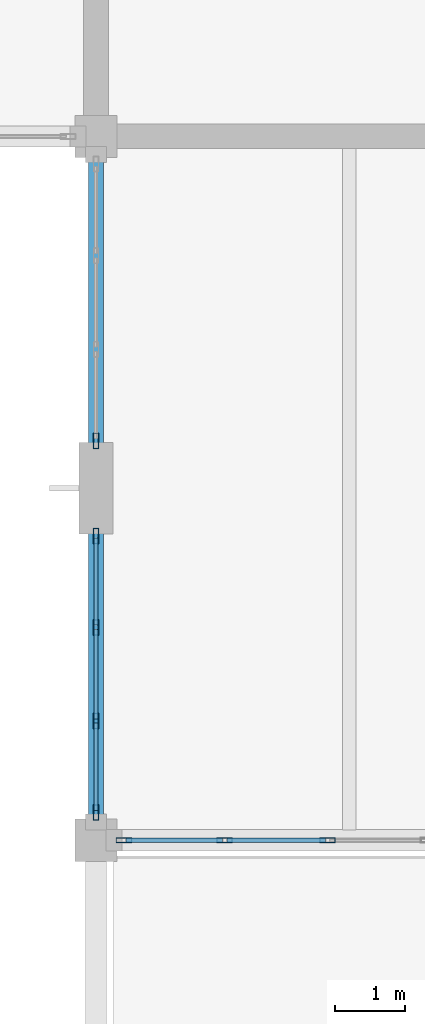
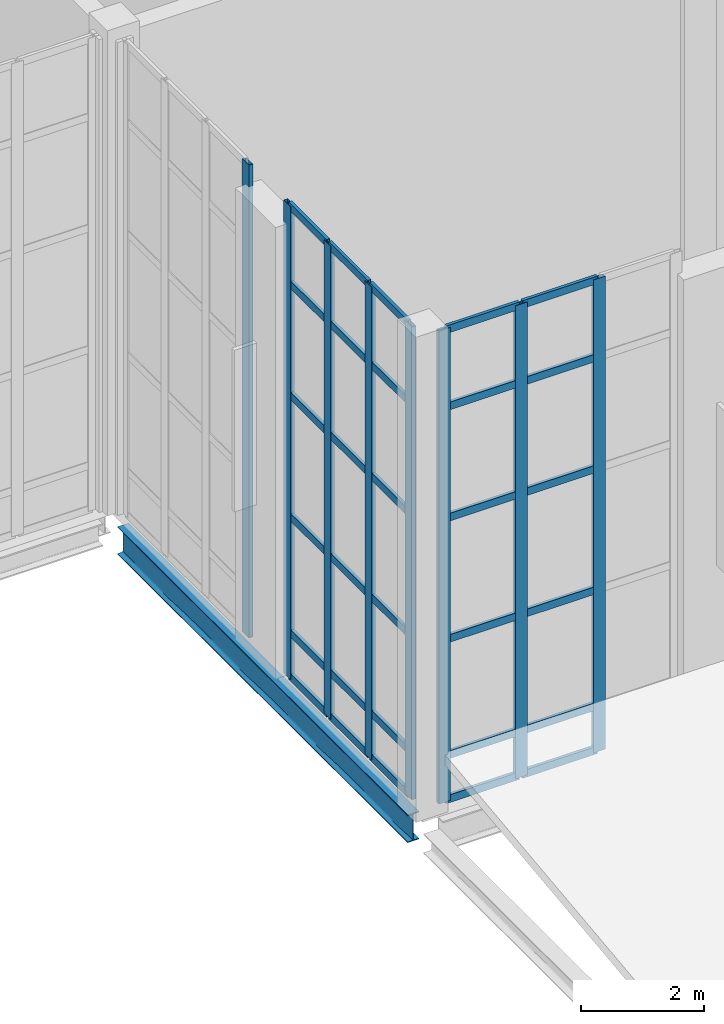
# One storey, part 33 of 100: 38 members, 1 beam, 3 elements without a shape of their own.
"""IFC4 building model written with IfcOpenShell, lengths in metres."""

from ifc_helpers import new_model, si_unit, direction, frame, origin, origin_2d, place, context, subcontext, project, spatial, hollow_rectangle, i_section, extrude, material, layer, layer_set, material_profile, profile_set, type_object, element, aggregate, save


model = new_model("IFC4")

# Units and contexts
model_context = context("Model", 3, precision=1e-05, world=origin(), true_north=direction((0.0, 1.0)))
body_context = subcontext(model_context, "Body", "Model", "MODEL_VIEW")
ifc_project = project(units=[si_unit("LENGTHUNIT", "METRE"), si_unit("AREAUNIT", "SQUARE_METRE"), si_unit("VOLUMEUNIT", "CUBIC_METRE"), si_unit("PLANEANGLEUNIT", "RADIAN"), si_unit("MASSUNIT", "GRAM", prefix="KILO")], contexts=[model_context])

# Site, building, storey
site_placement = place(None, origin())
site = spatial("IfcSite", under=ifc_project, at=site_placement, CompositionType="ELEMENT")
building_placement = place(site_placement, origin())
building = spatial("IfcBuilding", under=site, at=building_placement, Name="Tasgan Crest Museum", CompositionType="ELEMENT")
storey_placement = place(building_placement, frame((0.0, 0.0, 14.39990234375)))
storey = spatial("IfcBuildingStorey", under=building, at=storey_placement, Name="L03", CompositionType="ELEMENT", Elevation=14.39990234375)

# Beam
ifc_material_1 = material(Name="Steel S355J2", Category="steel")
ifc_material_profile_1 = material_profile(ifc_material_1, i_section(OverallWidth=0.2099609375, OverallDepth=0.550048828125, WebThickness=0.010986328125, FlangeThickness=0.01708984375, FilletRadius=0.02392578125, at=origin_2d()), Name="IPE 550")
ifc_profile_set_1 = profile_set([ifc_material_profile_1], Name="Steel S355J2")
beam_type = type_object("IfcBeamType", Name="BM-G-IPE550", PredefinedType="BEAM", material=ifc_profile_set_1)
beam_placement = place(storey_placement, frame((108.0, 30.294921875, -0.554931640625), z_axis=(0.0, 1.0, 0.0), x_axis=(-1.0, 0.0, 0.0)))
element("IfcBeam", 1, at=beam_placement, inside=storey, type_object=beam_type, Name="Beam L03 11 30.0-40.0", PredefinedType="BEAM", context=body_context, shape_type="SweptSolid", body=[
    extrude(i_section(OverallWidth=0.2099609375, OverallDepth=0.550048828125, WebThickness=0.010986328125, FlangeThickness=0.01708984375, FilletRadius=0.02392578125, at=origin_2d()), origin(), (0.0, 0.0, 1.0), 9.41015625),
])

# Curtain wall, member
ifc_material_2 = material(Name="Triple-Glazed Aluminium Curtain Wall", Category="aluminium")
ifc_layer_1 = layer(ifc_material_2, 0.179931640625, Name="CW-GAL-Y-96")
ifc_layer_set_1 = layer_set([ifc_layer_1], Name="Triple-Glazed Aluminium Curtain Wall")
curtain_wall_type_1 = type_object("IfcCurtainWallType", Name="CW-GAL-Y-96", PredefinedType="NOTDEFINED", material=ifc_layer_set_1)
curtain_wall_1_placement = place(storey_placement, origin())
curtain_wall_1 = element("IfcCurtainWall", 2, at=curtain_wall_1_placement, inside=storey, type_object=curtain_wall_type_1, Name="Curtain wall L03 111", PredefinedType="NOTDEFINED")
ifc_material_3 = material(Name="Anodised Aluminium", Category="aluminium")
ifc_material_profile_2 = material_profile(ifc_material_3, hollow_rectangle(XDim=0.074951171875, YDim=0.219970703125, WallThickness=0.006103515625, at=origin_2d()), Name="ALU MULLION 220x75x6")
ifc_profile_set_2 = profile_set([ifc_material_profile_2], Name="Anodised Aluminium")
member_type_1 = type_object("IfcMemberType", Name="CW-MULLION-220", PredefinedType="MULLION", material=ifc_profile_set_2)
member_1_placement = place(storey_placement, frame((108.0, 35.675048828125, 0.0), z_axis=(0.0, 0.0, 1.0), x_axis=(1.0, 0.0, 0.0)))
member_1 = element("IfcMember", 3, at=member_1_placement, type_object=member_type_1, Name="CW17 mullion 4", PredefinedType="MULLION", context=body_context, shape_type="SweptSolid", body=[
    extrude(hollow_rectangle(XDim=0.074951171875, YDim=0.219970703125, WallThickness=0.006103515625, at=origin_2d()), origin(), (0.0, 0.0, 1.0), 9.360107421875),
])
aggregate(curtain_wall_1, [member_1])

# Curtain wall, members
curtain_wall_2_placement = place(storey_placement, origin())
curtain_wall_2 = element("IfcCurtainWall", 4, at=curtain_wall_2_placement, inside=storey, type_object=curtain_wall_type_1, Name="Curtain wall L03 112", PredefinedType="NOTDEFINED")
member_2_placement = place(storey_placement, frame((108.0, 34.324951171875, 0.0), z_axis=(0.0, 0.0, 1.0), x_axis=(1.0, 0.0, 0.0)))
member_2 = element("IfcMember", 5, at=member_2_placement, type_object=member_type_1, Name="CW17 mullion 1", PredefinedType="MULLION", context=body_context, shape_type="SweptSolid", body=[
    extrude(hollow_rectangle(XDim=0.074951171875, YDim=0.219970703125, WallThickness=0.006103515625, at=origin_2d()), origin(), (0.0, 0.0, 1.0), 9.360107421875),
])
member_3_placement = place(storey_placement, frame((108.0, 33.02490234375, 0.0), z_axis=(0.0, 0.0, 1.0), x_axis=(1.0, 0.0, 0.0)))
member_3 = element("IfcMember", 6, at=member_3_placement, type_object=member_type_1, Name="CW17 mullion 2", PredefinedType="MULLION", context=body_context, shape_type="SweptSolid", body=[
    extrude(hollow_rectangle(XDim=0.074951171875, YDim=0.219970703125, WallThickness=0.006103515625, at=origin_2d()), origin(), (0.0, 0.0, 1.0), 9.360107421875),
])
member_4_placement = place(storey_placement, frame((108.0, 31.695068359375, 0.0), z_axis=(0.0, 0.0, 1.0), x_axis=(1.0, 0.0, 0.0)))
member_4 = element("IfcMember", 7, at=member_4_placement, type_object=member_type_1, Name="CW17 mullion 3", PredefinedType="MULLION", context=body_context, shape_type="SweptSolid", body=[
    extrude(hollow_rectangle(XDim=0.074951171875, YDim=0.219970703125, WallThickness=0.006103515625, at=origin_2d()), origin(), (0.0, 0.0, 1.0), 9.360107421875),
])
member_5_placement = place(storey_placement, frame((108.0, 30.39501953125, 0.0), z_axis=(0.0, 0.0, 1.0), x_axis=(1.0, 0.0, 0.0)))
member_5 = element("IfcMember", 8, at=member_5_placement, type_object=member_type_1, Name="CW17 mullion 4", PredefinedType="MULLION", context=body_context, shape_type="SweptSolid", body=[
    extrude(hollow_rectangle(XDim=0.074951171875, YDim=0.219970703125, WallThickness=0.006103515625, at=origin_2d()), origin(), (0.0, 0.0, 1.0), 9.360107421875),
])

ifc_material_4 = material(Name="Triple-Glazed Aluminium Curtain Wall", Category="aluminium")
ifc_layer_2 = layer(ifc_material_4, 0.179931640625, Name="CW-GAL-X-96")
ifc_layer_set_2 = layer_set([ifc_layer_2], Name="Triple-Glazed Aluminium Curtain Wall")
curtain_wall_type_2 = type_object("IfcCurtainWallType", Name="CW-GAL-X-96", PredefinedType="NOTDEFINED", material=ifc_layer_set_2)
curtain_wall_3_placement = place(storey_placement, origin())
curtain_wall_3 = element("IfcCurtainWall", 9, at=curtain_wall_3_placement, inside=storey, type_object=curtain_wall_type_2, Name="Curtain wall L03 113", PredefinedType="NOTDEFINED")
member_6_placement = place(storey_placement, frame((108.39501953125, 30.0, 0.0), z_axis=(0.0, 0.0, 1.0), x_axis=(0.0, 1.0, 0.0)))
member_6 = element("IfcMember", 10, at=member_6_placement, type_object=member_type_1, Name="CW14 mullion 1", PredefinedType="MULLION", context=body_context, shape_type="SweptSolid", body=[
    extrude(hollow_rectangle(XDim=0.074951171875, YDim=0.219970703125, WallThickness=0.006103515625, at=origin_2d()), origin(), (0.0, 0.0, 1.0), 9.360107421875),
])
member_7_placement = place(storey_placement, frame((109.828369140625, 30.0, 0.0), z_axis=(0.0, 0.0, 1.0), x_axis=(0.0, 1.0, 0.0)))
member_7 = element("IfcMember", 11, at=member_7_placement, type_object=member_type_1, Name="CW14 mullion 2", PredefinedType="MULLION", context=body_context, shape_type="SweptSolid", body=[
    extrude(hollow_rectangle(XDim=0.074951171875, YDim=0.219970703125, WallThickness=0.006103515625, at=origin_2d()), origin(), (0.0, 0.0, 1.0), 9.360107421875),
])
member_8_placement = place(storey_placement, frame((111.291748046875, 30.0, 0.0), z_axis=(0.0, 0.0, 1.0), x_axis=(0.0, 1.0, 0.0)))
member_8 = element("IfcMember", 12, at=member_8_placement, type_object=member_type_1, Name="CW14 mullion 3", PredefinedType="MULLION", context=body_context, shape_type="SweptSolid", body=[
    extrude(hollow_rectangle(XDim=0.074951171875, YDim=0.219970703125, WallThickness=0.006103515625, at=origin_2d()), origin(), (0.0, 0.0, 1.0), 9.360107421875),
])

# Member
ifc_material_5 = material(Name="Anodised Aluminium", Category="aluminium")
ifc_material_profile_3 = material_profile(ifc_material_5, hollow_rectangle(XDim=0.06005859375, YDim=0.14990234375, WallThickness=0.0048828125, at=origin_2d()), Name="ALU TRANSOM 150x60x5")
ifc_profile_set_3 = profile_set([ifc_material_profile_3], Name="Anodised Aluminium")
member_type_2 = type_object("IfcMemberType", Name="CW-TRANSOM-150", PredefinedType="USERDEFINED", material=ifc_profile_set_3)
member_9_placement = place(storey_placement, frame((108.0, 34.294921875, 0.030029296875), z_axis=(0.0, -1.0, 0.0), x_axis=(1.0, 0.0, 0.0)))
member_9 = element("IfcMember", 13, at=member_9_placement, type_object=member_type_2, Name="CW17 transom 1.1", ObjectType="TRANSOM", PredefinedType="USERDEFINED", context=body_context, shape_type="SweptSolid", body=[
    extrude(hollow_rectangle(XDim=0.06005859375, YDim=0.14990234375, WallThickness=0.0048828125, at=origin_2d()), origin(), (0.0, 0.0, 1.0), 1.239990234375),
])

member_10_placement = place(storey_placement, frame((108.0, 34.294921875, 0.900146484375), z_axis=(0.0, -1.0, 0.0), x_axis=(1.0, 0.0, 0.0)))
member_10 = element("IfcMember", 14, at=member_10_placement, type_object=member_type_2, Name="CW17 transom 1.2", ObjectType="TRANSOM", PredefinedType="USERDEFINED", context=body_context, shape_type="SweptSolid", body=[
    extrude(hollow_rectangle(XDim=0.06005859375, YDim=0.14990234375, WallThickness=0.0048828125, at=origin_2d()), origin(), (0.0, 0.0, 1.0), 1.239990234375),
])

member_11_placement = place(storey_placement, frame((108.0, 34.294921875, 3.2001953125), z_axis=(0.0, -1.0, 0.0), x_axis=(1.0, 0.0, 0.0)))
member_11 = element("IfcMember", 15, at=member_11_placement, type_object=member_type_2, Name="CW17 transom 1.3", ObjectType="TRANSOM", PredefinedType="USERDEFINED", context=body_context, shape_type="SweptSolid", body=[
    extrude(hollow_rectangle(XDim=0.06005859375, YDim=0.14990234375, WallThickness=0.0048828125, at=origin_2d()), origin(), (0.0, 0.0, 1.0), 1.239990234375),
])

member_12_placement = place(storey_placement, frame((108.0, 34.294921875, 5.60009765625), z_axis=(0.0, -1.0, 0.0), x_axis=(1.0, 0.0, 0.0)))
member_12 = element("IfcMember", 16, at=member_12_placement, type_object=member_type_2, Name="CW17 transom 1.4", ObjectType="TRANSOM", PredefinedType="USERDEFINED", context=body_context, shape_type="SweptSolid", body=[
    extrude(hollow_rectangle(XDim=0.06005859375, YDim=0.14990234375, WallThickness=0.0048828125, at=origin_2d()), origin(), (0.0, 0.0, 1.0), 1.239990234375),
])

member_13_placement = place(storey_placement, frame((108.0, 34.294921875, 7.800048828125), z_axis=(0.0, -1.0, 0.0), x_axis=(1.0, 0.0, 0.0)))
member_13 = element("IfcMember", 17, at=member_13_placement, type_object=member_type_2, Name="CW17 transom 1.5", ObjectType="TRANSOM", PredefinedType="USERDEFINED", context=body_context, shape_type="SweptSolid", body=[
    extrude(hollow_rectangle(XDim=0.06005859375, YDim=0.14990234375, WallThickness=0.0048828125, at=origin_2d()), origin(), (0.0, 0.0, 1.0), 1.239990234375),
])

member_14_placement = place(storey_placement, frame((108.0, 34.294921875, 9.330078125), z_axis=(0.0, -1.0, 0.0), x_axis=(1.0, 0.0, 0.0)))
member_14 = element("IfcMember", 18, at=member_14_placement, type_object=member_type_2, Name="CW17 transom 1.6", ObjectType="TRANSOM", PredefinedType="USERDEFINED", context=body_context, shape_type="SweptSolid", body=[
    extrude(hollow_rectangle(XDim=0.06005859375, YDim=0.14990234375, WallThickness=0.0048828125, at=origin_2d()), origin(), (0.0, 0.0, 1.0), 1.239990234375),
])

member_15_placement = place(storey_placement, frame((108.0, 32.9951171875, 0.030029296875), z_axis=(0.0, -1.0, 0.0), x_axis=(1.0, 0.0, 0.0)))
member_15 = element("IfcMember", 19, at=member_15_placement, type_object=member_type_2, Name="CW17 transom 2.1", ObjectType="TRANSOM", PredefinedType="USERDEFINED", context=body_context, shape_type="SweptSolid", body=[
    extrude(hollow_rectangle(XDim=0.06005859375, YDim=0.14990234375, WallThickness=0.0048828125, at=origin_2d()), origin(), (0.0, 0.0, 1.0), 1.27001953125),
])

member_16_placement = place(storey_placement, frame((108.0, 32.9951171875, 0.900146484375), z_axis=(0.0, -1.0, 0.0), x_axis=(1.0, 0.0, 0.0)))
member_16 = element("IfcMember", 20, at=member_16_placement, type_object=member_type_2, Name="CW17 transom 2.2", ObjectType="TRANSOM", PredefinedType="USERDEFINED", context=body_context, shape_type="SweptSolid", body=[
    extrude(hollow_rectangle(XDim=0.06005859375, YDim=0.14990234375, WallThickness=0.0048828125, at=origin_2d()), origin(), (0.0, 0.0, 1.0), 1.27001953125),
])

member_17_placement = place(storey_placement, frame((108.0, 32.9951171875, 3.2001953125), z_axis=(0.0, -1.0, 0.0), x_axis=(1.0, 0.0, 0.0)))
member_17 = element("IfcMember", 21, at=member_17_placement, type_object=member_type_2, Name="CW17 transom 2.3", ObjectType="TRANSOM", PredefinedType="USERDEFINED", context=body_context, shape_type="SweptSolid", body=[
    extrude(hollow_rectangle(XDim=0.06005859375, YDim=0.14990234375, WallThickness=0.0048828125, at=origin_2d()), origin(), (0.0, 0.0, 1.0), 1.27001953125),
])

member_18_placement = place(storey_placement, frame((108.0, 32.9951171875, 5.60009765625), z_axis=(0.0, -1.0, 0.0), x_axis=(1.0, 0.0, 0.0)))
member_18 = element("IfcMember", 22, at=member_18_placement, type_object=member_type_2, Name="CW17 transom 2.4", ObjectType="TRANSOM", PredefinedType="USERDEFINED", context=body_context, shape_type="SweptSolid", body=[
    extrude(hollow_rectangle(XDim=0.06005859375, YDim=0.14990234375, WallThickness=0.0048828125, at=origin_2d()), origin(), (0.0, 0.0, 1.0), 1.27001953125),
])

member_19_placement = place(storey_placement, frame((108.0, 32.9951171875, 7.800048828125), z_axis=(0.0, -1.0, 0.0), x_axis=(1.0, 0.0, 0.0)))
member_19 = element("IfcMember", 23, at=member_19_placement, type_object=member_type_2, Name="CW17 transom 2.5", ObjectType="TRANSOM", PredefinedType="USERDEFINED", context=body_context, shape_type="SweptSolid", body=[
    extrude(hollow_rectangle(XDim=0.06005859375, YDim=0.14990234375, WallThickness=0.0048828125, at=origin_2d()), origin(), (0.0, 0.0, 1.0), 1.27001953125),
])

member_20_placement = place(storey_placement, frame((108.0, 32.9951171875, 9.330078125), z_axis=(0.0, -1.0, 0.0), x_axis=(1.0, 0.0, 0.0)))
member_20 = element("IfcMember", 24, at=member_20_placement, type_object=member_type_2, Name="CW17 transom 2.6", ObjectType="TRANSOM", PredefinedType="USERDEFINED", context=body_context, shape_type="SweptSolid", body=[
    extrude(hollow_rectangle(XDim=0.06005859375, YDim=0.14990234375, WallThickness=0.0048828125, at=origin_2d()), origin(), (0.0, 0.0, 1.0), 1.27001953125),
])

member_21_placement = place(storey_placement, frame((108.0, 31.6650390625, 0.030029296875), z_axis=(0.0, -1.0, 0.0), x_axis=(1.0, 0.0, 0.0)))
member_21 = element("IfcMember", 25, at=member_21_placement, type_object=member_type_2, Name="CW17 transom 3.1", ObjectType="TRANSOM", PredefinedType="USERDEFINED", context=body_context, shape_type="SweptSolid", body=[
    extrude(hollow_rectangle(XDim=0.06005859375, YDim=0.14990234375, WallThickness=0.0048828125, at=origin_2d()), origin(), (0.0, 0.0, 1.0), 1.239990234375),
])

member_22_placement = place(storey_placement, frame((108.0, 31.6650390625, 0.900146484375), z_axis=(0.0, -1.0, 0.0), x_axis=(1.0, 0.0, 0.0)))
member_22 = element("IfcMember", 26, at=member_22_placement, type_object=member_type_2, Name="CW17 transom 3.2", ObjectType="TRANSOM", PredefinedType="USERDEFINED", context=body_context, shape_type="SweptSolid", body=[
    extrude(hollow_rectangle(XDim=0.06005859375, YDim=0.14990234375, WallThickness=0.0048828125, at=origin_2d()), origin(), (0.0, 0.0, 1.0), 1.239990234375),
])

member_23_placement = place(storey_placement, frame((108.0, 31.6650390625, 3.2001953125), z_axis=(0.0, -1.0, 0.0), x_axis=(1.0, 0.0, 0.0)))
member_23 = element("IfcMember", 27, at=member_23_placement, type_object=member_type_2, Name="CW17 transom 3.3", ObjectType="TRANSOM", PredefinedType="USERDEFINED", context=body_context, shape_type="SweptSolid", body=[
    extrude(hollow_rectangle(XDim=0.06005859375, YDim=0.14990234375, WallThickness=0.0048828125, at=origin_2d()), origin(), (0.0, 0.0, 1.0), 1.239990234375),
])

member_24_placement = place(storey_placement, frame((108.0, 31.6650390625, 5.60009765625), z_axis=(0.0, -1.0, 0.0), x_axis=(1.0, 0.0, 0.0)))
member_24 = element("IfcMember", 28, at=member_24_placement, type_object=member_type_2, Name="CW17 transom 3.4", ObjectType="TRANSOM", PredefinedType="USERDEFINED", context=body_context, shape_type="SweptSolid", body=[
    extrude(hollow_rectangle(XDim=0.06005859375, YDim=0.14990234375, WallThickness=0.0048828125, at=origin_2d()), origin(), (0.0, 0.0, 1.0), 1.239990234375),
])

member_25_placement = place(storey_placement, frame((108.0, 31.6650390625, 7.800048828125), z_axis=(0.0, -1.0, 0.0), x_axis=(1.0, 0.0, 0.0)))
member_25 = element("IfcMember", 29, at=member_25_placement, type_object=member_type_2, Name="CW17 transom 3.5", ObjectType="TRANSOM", PredefinedType="USERDEFINED", context=body_context, shape_type="SweptSolid", body=[
    extrude(hollow_rectangle(XDim=0.06005859375, YDim=0.14990234375, WallThickness=0.0048828125, at=origin_2d()), origin(), (0.0, 0.0, 1.0), 1.239990234375),
])

member_26_placement = place(storey_placement, frame((108.0, 31.6650390625, 9.330078125), z_axis=(0.0, -1.0, 0.0), x_axis=(1.0, 0.0, 0.0)))
member_26 = element("IfcMember", 30, at=member_26_placement, type_object=member_type_2, Name="CW17 transom 3.6", ObjectType="TRANSOM", PredefinedType="USERDEFINED", context=body_context, shape_type="SweptSolid", body=[
    extrude(hollow_rectangle(XDim=0.06005859375, YDim=0.14990234375, WallThickness=0.0048828125, at=origin_2d()), origin(), (0.0, 0.0, 1.0), 1.239990234375),
])

aggregate(curtain_wall_2, [member_2, member_3, member_4, member_5, member_9, member_10, member_11, member_12, member_13, member_14, member_15, member_16, member_17, member_18, member_19, member_20, member_21, member_22, member_23, member_24, member_25, member_26])

member_27_placement = place(storey_placement, frame((108.425048828125, 30.0, 0.030029296875), z_axis=(1.0, 0.0, 0.0), x_axis=(0.0, 1.0, 0.0)))
member_27 = element("IfcMember", 31, at=member_27_placement, type_object=member_type_2, Name="CW14 transom 1.1", ObjectType="TRANSOM", PredefinedType="USERDEFINED", context=body_context, shape_type="SweptSolid", body=[
    extrude(hollow_rectangle(XDim=0.06005859375, YDim=0.14990234375, WallThickness=0.0048828125, at=origin_2d()), origin(), (0.0, 0.0, 1.0), 1.373291015625),
])

member_28_placement = place(storey_placement, frame((108.425048828125, 30.0, 0.900146484375), z_axis=(1.0, 0.0, 0.0), x_axis=(0.0, 1.0, 0.0)))
member_28 = element("IfcMember", 32, at=member_28_placement, type_object=member_type_2, Name="CW14 transom 1.2", ObjectType="TRANSOM", PredefinedType="USERDEFINED", context=body_context, shape_type="SweptSolid", body=[
    extrude(hollow_rectangle(XDim=0.06005859375, YDim=0.14990234375, WallThickness=0.0048828125, at=origin_2d()), origin(), (0.0, 0.0, 1.0), 1.373291015625),
])

member_29_placement = place(storey_placement, frame((108.425048828125, 30.0, 3.2001953125), z_axis=(1.0, 0.0, 0.0), x_axis=(0.0, 1.0, 0.0)))
member_29 = element("IfcMember", 33, at=member_29_placement, type_object=member_type_2, Name="CW14 transom 1.3", ObjectType="TRANSOM", PredefinedType="USERDEFINED", context=body_context, shape_type="SweptSolid", body=[
    extrude(hollow_rectangle(XDim=0.06005859375, YDim=0.14990234375, WallThickness=0.0048828125, at=origin_2d()), origin(), (0.0, 0.0, 1.0), 1.373291015625),
])

member_30_placement = place(storey_placement, frame((108.425048828125, 30.0, 5.60009765625), z_axis=(1.0, 0.0, 0.0), x_axis=(0.0, 1.0, 0.0)))
member_30 = element("IfcMember", 34, at=member_30_placement, type_object=member_type_2, Name="CW14 transom 1.4", ObjectType="TRANSOM", PredefinedType="USERDEFINED", context=body_context, shape_type="SweptSolid", body=[
    extrude(hollow_rectangle(XDim=0.06005859375, YDim=0.14990234375, WallThickness=0.0048828125, at=origin_2d()), origin(), (0.0, 0.0, 1.0), 1.373291015625),
])

member_31_placement = place(storey_placement, frame((108.425048828125, 30.0, 7.800048828125), z_axis=(1.0, 0.0, 0.0), x_axis=(0.0, 1.0, 0.0)))
member_31 = element("IfcMember", 35, at=member_31_placement, type_object=member_type_2, Name="CW14 transom 1.5", ObjectType="TRANSOM", PredefinedType="USERDEFINED", context=body_context, shape_type="SweptSolid", body=[
    extrude(hollow_rectangle(XDim=0.06005859375, YDim=0.14990234375, WallThickness=0.0048828125, at=origin_2d()), origin(), (0.0, 0.0, 1.0), 1.373291015625),
])

member_32_placement = place(storey_placement, frame((108.425048828125, 30.0, 9.330078125), z_axis=(1.0, 0.0, 0.0), x_axis=(0.0, 1.0, 0.0)))
member_32 = element("IfcMember", 36, at=member_32_placement, type_object=member_type_2, Name="CW14 transom 1.6", ObjectType="TRANSOM", PredefinedType="USERDEFINED", context=body_context, shape_type="SweptSolid", body=[
    extrude(hollow_rectangle(XDim=0.06005859375, YDim=0.14990234375, WallThickness=0.0048828125, at=origin_2d()), origin(), (0.0, 0.0, 1.0), 1.373291015625),
])

member_33_placement = place(storey_placement, frame((109.8583984375, 30.0, 0.030029296875), z_axis=(1.0, 0.0, 0.0), x_axis=(0.0, 1.0, 0.0)))
member_33 = element("IfcMember", 37, at=member_33_placement, type_object=member_type_2, Name="CW14 transom 2.1", ObjectType="TRANSOM", PredefinedType="USERDEFINED", context=body_context, shape_type="SweptSolid", body=[
    extrude(hollow_rectangle(XDim=0.06005859375, YDim=0.14990234375, WallThickness=0.0048828125, at=origin_2d()), origin(), (0.0, 0.0, 1.0), 1.4033203125),
])

member_34_placement = place(storey_placement, frame((109.8583984375, 30.0, 0.900146484375), z_axis=(1.0, 0.0, 0.0), x_axis=(0.0, 1.0, 0.0)))
member_34 = element("IfcMember", 38, at=member_34_placement, type_object=member_type_2, Name="CW14 transom 2.2", ObjectType="TRANSOM", PredefinedType="USERDEFINED", context=body_context, shape_type="SweptSolid", body=[
    extrude(hollow_rectangle(XDim=0.06005859375, YDim=0.14990234375, WallThickness=0.0048828125, at=origin_2d()), origin(), (0.0, 0.0, 1.0), 1.4033203125),
])

member_35_placement = place(storey_placement, frame((109.8583984375, 30.0, 3.2001953125), z_axis=(1.0, 0.0, 0.0), x_axis=(0.0, 1.0, 0.0)))
member_35 = element("IfcMember", 39, at=member_35_placement, type_object=member_type_2, Name="CW14 transom 2.3", ObjectType="TRANSOM", PredefinedType="USERDEFINED", context=body_context, shape_type="SweptSolid", body=[
    extrude(hollow_rectangle(XDim=0.06005859375, YDim=0.14990234375, WallThickness=0.0048828125, at=origin_2d()), origin(), (0.0, 0.0, 1.0), 1.4033203125),
])

member_36_placement = place(storey_placement, frame((109.8583984375, 30.0, 5.60009765625), z_axis=(1.0, 0.0, 0.0), x_axis=(0.0, 1.0, 0.0)))
member_36 = element("IfcMember", 40, at=member_36_placement, type_object=member_type_2, Name="CW14 transom 2.4", ObjectType="TRANSOM", PredefinedType="USERDEFINED", context=body_context, shape_type="SweptSolid", body=[
    extrude(hollow_rectangle(XDim=0.06005859375, YDim=0.14990234375, WallThickness=0.0048828125, at=origin_2d()), origin(), (0.0, 0.0, 1.0), 1.4033203125),
])

member_37_placement = place(storey_placement, frame((109.8583984375, 30.0, 7.800048828125), z_axis=(1.0, 0.0, 0.0), x_axis=(0.0, 1.0, 0.0)))
member_37 = element("IfcMember", 41, at=member_37_placement, type_object=member_type_2, Name="CW14 transom 2.5", ObjectType="TRANSOM", PredefinedType="USERDEFINED", context=body_context, shape_type="SweptSolid", body=[
    extrude(hollow_rectangle(XDim=0.06005859375, YDim=0.14990234375, WallThickness=0.0048828125, at=origin_2d()), origin(), (0.0, 0.0, 1.0), 1.4033203125),
])

member_38_placement = place(storey_placement, frame((109.8583984375, 30.0, 9.330078125), z_axis=(1.0, 0.0, 0.0), x_axis=(0.0, 1.0, 0.0)))
member_38 = element("IfcMember", 42, at=member_38_placement, type_object=member_type_2, Name="CW14 transom 2.6", ObjectType="TRANSOM", PredefinedType="USERDEFINED", context=body_context, shape_type="SweptSolid", body=[
    extrude(hollow_rectangle(XDim=0.06005859375, YDim=0.14990234375, WallThickness=0.0048828125, at=origin_2d()), origin(), (0.0, 0.0, 1.0), 1.4033203125),
])

aggregate(curtain_wall_3, [member_6, member_7, member_8, member_27, member_28, member_29, member_30, member_31, member_32, member_33, member_34, member_35, member_36, member_37, member_38])

save(model, "model.ifc")
